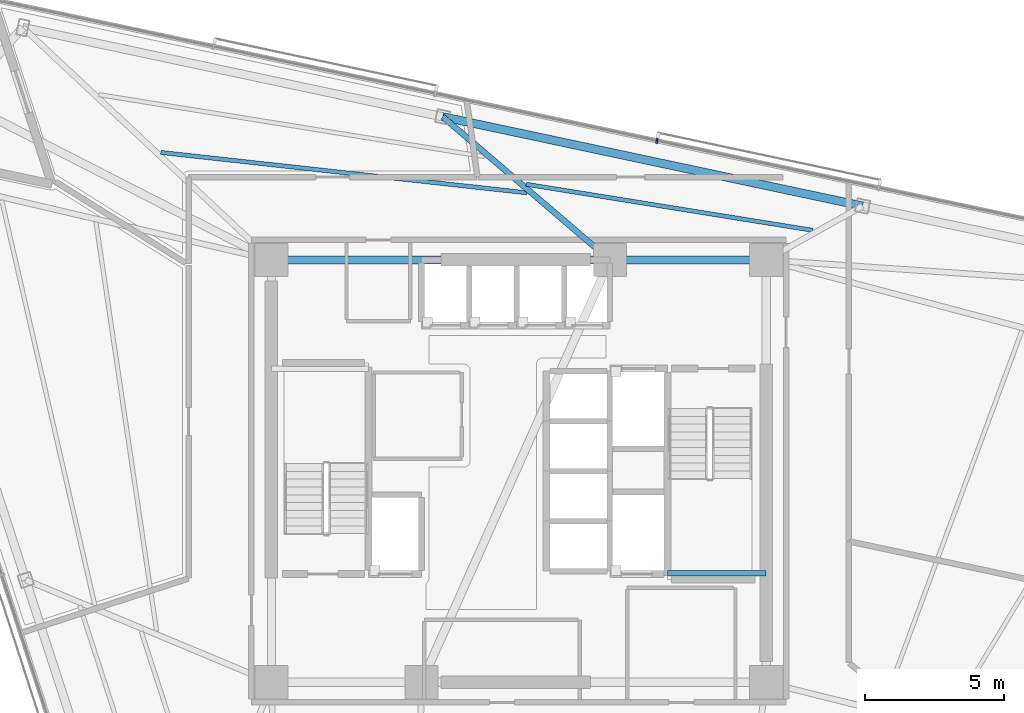
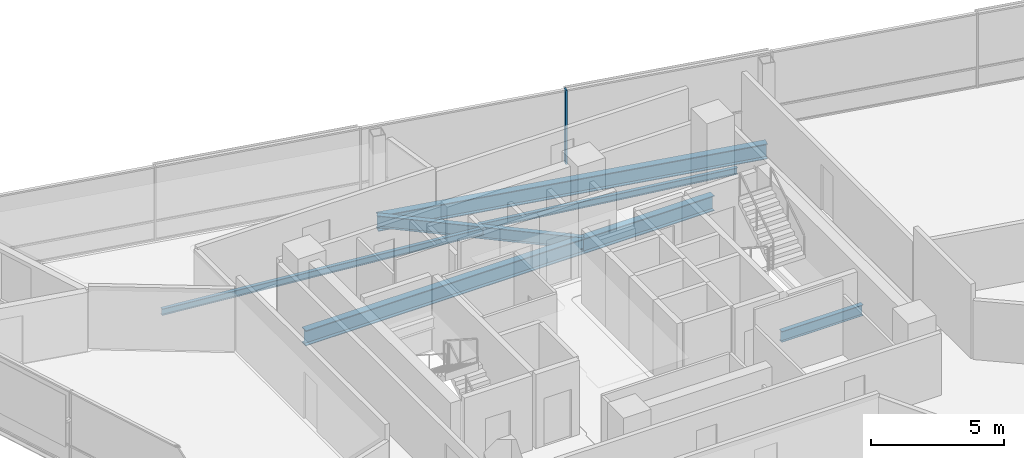
# One storey, part 6 of 17: 7 beams, 1 member, 1 element without a shape of its own.
"""IFC4 building model written with IfcOpenShell, lengths in metres."""

from ifc_helpers import new_model, si_unit, direction, frame, origin, origin_2d, place, context, subcontext, project, spatial, rectangle, i_section, extrude, material, layer, layer_set, material_profile, profile_set, type_object, element, aggregate, save


model = new_model("IFC4")

# Units and contexts
model_context = context("Model", 3, precision=1e-05, world=origin(), true_north=direction((0.0, 1.0)))
body_context = subcontext(model_context, "Body", "Model", "MODEL_VIEW")
ifc_project = project(units=[si_unit("LENGTHUNIT", "METRE"), si_unit("AREAUNIT", "SQUARE_METRE"), si_unit("VOLUMEUNIT", "CUBIC_METRE"), si_unit("PLANEANGLEUNIT", "RADIAN"), si_unit("MASSUNIT", "GRAM", prefix="KILO")], contexts=[model_context])

# Site, building, storey
site_placement = place(None, origin())
site = spatial("IfcSite", under=ifc_project, at=site_placement, CompositionType="ELEMENT")
building_placement = place(site_placement, origin())
building = spatial("IfcBuilding", under=site, at=building_placement, Name="Tharavind Bronze Gate", CompositionType="ELEMENT")
storey_placement = place(building_placement, frame((0.0, 0.0, 200.449951171875)))
storey = spatial("IfcBuildingStorey", under=building, at=storey_placement, Name="L51", CompositionType="ELEMENT", Elevation=200.449951171875)

# Curtain wall, member
ifc_material_1 = material(Name="Anodised Bronze Aluminium", Category="aluminium")
ifc_layer = layer(ifc_material_1, 0.219970703125)
ifc_layer_set = layer_set([ifc_layer], Name="Anodised Bronze Aluminium")
curtain_wall_type = type_object("IfcCurtainWallType", Name="UNITISED CURTAIN WALL MID OFFICE", PredefinedType="USERDEFINED", material=ifc_layer_set)
curtain_wall_placement = place(storey_placement, origin())
curtain_wall = element("IfcCurtainWall", 1, at=curtain_wall_placement, inside=storey, type_object=curtain_wall_type, Name="L51 unitised curtain wall mid office CW-L51-S3", ObjectType="UNITISED CURTAIN WALL", PredefinedType="USERDEFINED")
member_type = type_object("IfcMemberType", Name="CURTAIN WALL BRONZE MULLION 65X180", PredefinedType="MULLION", material=ifc_material_1)
member_placement = place(storey_placement, frame((4.97265625, 11.880615234375, 0.0), z_axis=(0.0, 0.0, 1.0), x_axis=(-0.978147600734, 0.207911690818, 0.0)))
member = element("IfcMember", 2, at=member_placement, type_object=member_type, Name="CW-L51-S3 mullion 4", PredefinedType="MULLION", context=body_context, shape_type="SweptSolid", body=[
    extrude(rectangle(XDim=0.06494140625, YDim=0.179931640625, at=origin_2d()), origin(), (0.0, 0.0, 1.0), 3.419921875),
])
aggregate(curtain_wall, [member])

# Beams
ifc_material_2 = material(Name="Steel S355", Category="steel")
ifc_material_profile_1 = material_profile(ifc_material_2, i_section(OverallWidth=0.199951171875, OverallDepth=0.5, WebThickness=0.01025390625, FlangeThickness=0.01611328125, at=origin_2d()), Name="IPE500")
ifc_profile_set_1 = profile_set([ifc_material_profile_1], Name="Steel S355")
beam_type_1 = type_object("IfcBeamType", Name="PRIMARY GIRDER IPE500", PredefinedType="USERDEFINED", material=ifc_profile_set_1)
beam_1_placement = place(storey_placement, frame((5.35009765625, -3.679931640625, 1.35009765625), z_axis=(1.0, 0.0, 0.0), x_axis=(0.0, 1.0, 0.0)))
element("IfcBeam", 3, at=beam_1_placement, inside=storey, type_object=beam_type_1, Name="L51 primary girder ipe500 BM-LD-ST2-L51-1", ObjectType="GIRDER", PredefinedType="USERDEFINED", context=body_context, shape_type="SweptSolid", body=[
    extrude(i_section(OverallWidth=0.199951171875, OverallDepth=0.5, WebThickness=0.01025390625, FlangeThickness=0.01611328125, at=origin_2d()), origin(), (0.0, 0.0, 1.0), 3.5498046875),
])
ifc_material_profile_2 = material_profile(ifc_material_2, i_section(OverallWidth=0.2099609375, OverallDepth=0.550048828125, WebThickness=0.010986328125, FlangeThickness=0.01708984375, at=origin_2d()), Name="IPE550")
ifc_profile_set_2 = profile_set([ifc_material_profile_2], Name="Steel S355")
beam_type_2 = type_object("IfcBeamType", Name="PRIMARY GIRDER IPE550", PredefinedType="USERDEFINED", material=ifc_profile_set_2)
beam_2_placement = place(storey_placement, frame((-2.737060546875, 12.752685546875, -0.454833984375), z_axis=(0.75956325699, -0.650433439048, 0.0), x_axis=(0.650433439048, 0.75956325699, 0.0)))
element("IfcBeam", 4, at=beam_2_placement, inside=storey, type_object=beam_type_2, Name="L51 primary girder ipe550 BM-L51-RAD11", ObjectType="GIRDER", PredefinedType="USERDEFINED", context=body_context, shape_type="SweptSolid", body=[
    extrude(i_section(OverallWidth=0.2099609375, OverallDepth=0.550048828125, WebThickness=0.010986328125, FlangeThickness=0.01708984375, at=origin_2d()), origin(), (0.0, 0.0, 1.0), 7.921875),
])
ifc_material_profile_3 = material_profile(ifc_material_2, i_section(OverallWidth=0.300048828125, OverallDepth=0.699951171875, WebThickness=0.01708984375, FlangeThickness=0.031982421875, at=origin_2d()), Name="HE700B")
ifc_profile_set_3 = profile_set([ifc_material_profile_3], Name="Steel S355")
beam_type_3 = type_object("IfcBeamType", Name="RING GIRDER HE700B", PredefinedType="USERDEFINED", material=ifc_profile_set_3)
beam_3_placement = place(storey_placement, frame((8.89990234375, 7.60009765625, -0.530029296875), z_axis=(-1.0, 0.0, 0.0), x_axis=(0.0, -1.0, 0.0)))
element("IfcBeam", 5, at=beam_3_placement, inside=storey, type_object=beam_type_3, Name="L51 ring girder he700b BM-L51-CR4", ObjectType="GIRDER", PredefinedType="USERDEFINED", context=body_context, shape_type="SweptSolid", body=[
    extrude(i_section(OverallWidth=0.300048828125, OverallDepth=0.699951171875, WebThickness=0.01708984375, FlangeThickness=0.031982421875, at=origin_2d()), origin(), (0.0, 0.0, 1.0), 5.619873046875),
])
beam_4_placement = place(storey_placement, frame((3.280029296875, 7.60009765625, -0.530029296875), z_axis=(-1.0, 0.0, 0.0), x_axis=(0.0, -1.0, 0.0)))
element("IfcBeam", 6, at=beam_4_placement, inside=storey, type_object=beam_type_3, Name="L51 ring girder he700b BM-L51-CR5", ObjectType="GIRDER", PredefinedType="USERDEFINED", context=body_context, shape_type="SweptSolid", body=[
    extrude(i_section(OverallWidth=0.300048828125, OverallDepth=0.699951171875, WebThickness=0.01708984375, FlangeThickness=0.031982421875, at=origin_2d()), origin(), (0.0, 0.0, 1.0), 12.179931640625),
])
beam_5_placement = place(storey_placement, frame((12.370849609375, 9.54150390625, -0.530029296875), z_axis=(-0.978148967388, 0.207905261111, 0.0), x_axis=(-0.207905261111, -0.978148967388, 0.0)))
element("IfcBeam", 7, at=beam_5_placement, inside=storey, type_object=beam_type_3, Name="L51 ring girder he700b BM-L51-PRG10", ObjectType="GIRDER", PredefinedType="USERDEFINED", context=body_context, shape_type="SweptSolid", body=[
    extrude(i_section(OverallWidth=0.300048828125, OverallDepth=0.699951171875, WebThickness=0.01708984375, FlangeThickness=0.031982421875, at=origin_2d()), origin(), (0.0, 0.0, 1.0), 15.4453125),
])
ifc_material_profile_4 = material_profile(ifc_material_2, i_section(OverallWidth=0.14990234375, OverallDepth=0.300048828125, WebThickness=0.007080078125, FlangeThickness=0.0107421875, at=origin_2d()), Name="IPE300")
ifc_profile_set_4 = profile_set([ifc_material_profile_4], Name="Steel S355")
beam_type_4 = type_object("IfcBeamType", Name="SECONDARY FLOOR JOIST IPE300", PredefinedType="JOIST", material=ifc_profile_set_4)
beam_6_placement = place(storey_placement, frame((10.585693359375, 8.666015625, -0.329833984375), z_axis=(-0.987341344636, 0.158609801627, 0.0), x_axis=(-0.158609801627, -0.987341344636, 0.0)))
element("IfcBeam", 8, at=beam_6_placement, inside=storey, type_object=beam_type_4, Name="L51 secondary floor joist ipe300 BM-L51-JSTA10", PredefinedType="JOIST", context=body_context, shape_type="SweptSolid", body=[
    extrude(i_section(OverallWidth=0.14990234375, OverallDepth=0.300048828125, WebThickness=0.007080078125, FlangeThickness=0.0107421875, at=origin_2d()), origin(), (0.0, 0.0, 1.0), 10.45458984375),
])
beam_7_placement = place(storey_placement, frame((0.292724609375, 10.016845703125, -0.329833984375), z_axis=(-0.993975491992, 0.109602560737, 0.0), x_axis=(-0.109602560737, -0.993975491992, 0.0)))
element("IfcBeam", 9, at=beam_7_placement, inside=storey, type_object=beam_type_4, Name="L51 secondary floor joist ipe300 BM-L51-JSTA11", PredefinedType="JOIST", context=body_context, shape_type="SweptSolid", body=[
    extrude(i_section(OverallWidth=0.14990234375, OverallDepth=0.300048828125, WebThickness=0.007080078125, FlangeThickness=0.0107421875, at=origin_2d()), origin(), (0.0, 0.0, 1.0), 13.253662109375),
])

save(model, "model.ifc")
